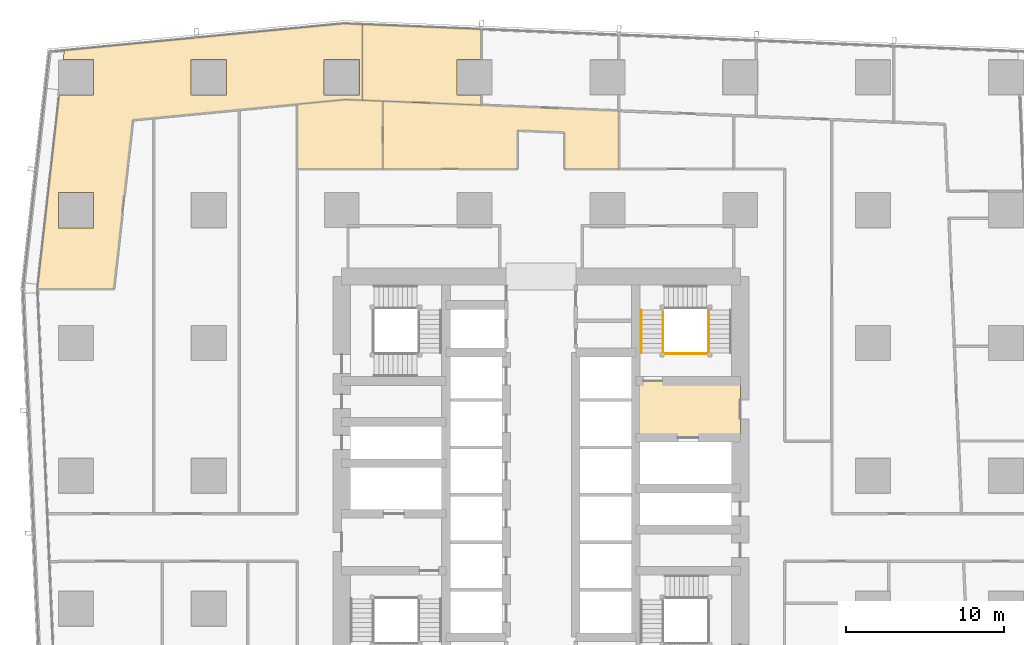
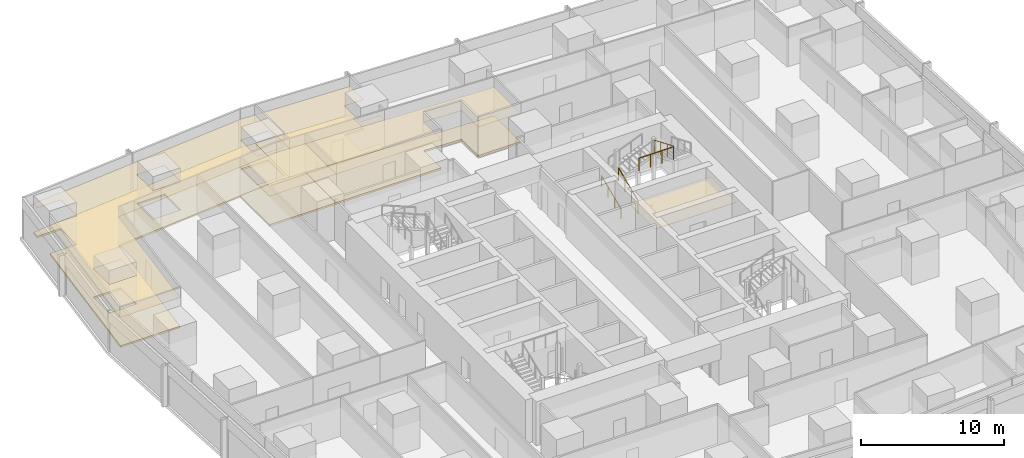
# One storey, part 42 of 44: 9 coverings, 4 railings.
"""IFC4 building model written with IfcOpenShell, lengths in metres."""

from ifc_helpers import new_model, si_unit, direction, frame, origin, origin_2d, place, context, subcontext, project, spatial, polyline, circle, outline, extrude, material, layer, layer_set, type_object, element, save


model = new_model("IFC4")

# Units and contexts
model_context = context("Model", 3, precision=1e-05, world=origin(), true_north=direction((0.0, 1.0)))
body_context = subcontext(model_context, "Body", "Model", "MODEL_VIEW")
ifc_project = project(units=[si_unit("LENGTHUNIT", "METRE"), si_unit("AREAUNIT", "SQUARE_METRE"), si_unit("VOLUMEUNIT", "CUBIC_METRE"), si_unit("PLANEANGLEUNIT", "RADIAN"), si_unit("MASSUNIT", "GRAM", prefix="KILO")], contexts=[model_context])

# Site, building, storey
site_placement = place(None, origin())
site = spatial("IfcSite", under=ifc_project, at=site_placement, CompositionType="ELEMENT")
building_placement = place(site_placement, origin())
building = spatial("IfcBuilding", under=site, at=building_placement, Name="Rekha Terrace Tower", CompositionType="ELEMENT")
storey_placement = place(building_placement, frame((0.0, 0.0, 51.64990234375)))
storey = spatial("IfcBuildingStorey", under=building, at=storey_placement, Name="L12", CompositionType="ELEMENT", Elevation=51.64990234375)

# Coverings
ifc_material_1 = material(Name="Mineral fibre tile in exposed grid", Category="finish")
ifc_layer_1 = layer(ifc_material_1, 0.02001953125)
ifc_layer_set_1 = layer_set([ifc_layer_1], Name="Mineral fibre tile in exposed grid")
covering_type_1 = type_object("IfcCoveringType", Name="CL1 600x1200 office grid ceiling", PredefinedType="CEILING", material=ifc_layer_set_1)
covering_1_placement = place(storey_placement, frame((0.0, 0.0, 2.580078125)))
element("IfcCovering", 1, at=covering_1_placement, inside=storey, type_object=covering_type_1, Name="Ceiling L12-15", PredefinedType="CEILING", context=body_context, shape_type="SweptSolid", body=[
    extrude(outline(polyline([(34.02099609375, 59.9150390625), (34.02099609375, 61.842041015625), (26.510009765625, 62.15087890625), (26.510009765625, 57.346923828125), (34.02099609375, 57.037109375), (34.02099609375, 57.68505859375), (32.485107421875, 57.68505859375), (32.485107421875, 59.9150390625), (34.02099609375, 59.9150390625)])), origin(), (0.0, 0.0, 1.0), 0.02001953125),
])
covering_2_placement = place(storey_placement, frame((0.0, 0.0, 2.580078125)))
element("IfcCovering", 2, at=covering_2_placement, inside=storey, type_object=covering_type_1, Name="Ceiling L12-17", PredefinedType="CEILING", context=body_context, shape_type="SweptSolid", body=[
    extrude(outline(polyline([(25.325927734375, 62.199951171875), (15.572021484375, 61.261962890625), (7.655029296875, 60.5009765625), (7.589111328125, 59.9150390625), (9.514892578125, 59.9150390625), (9.514892578125, 57.68505859375), (7.337890625, 57.68505859375), (5.958984375, 45.412109375), (10.7900390625, 45.412109375), (11.989990234375, 56.095947265625), (15.572998046875, 56.43994140625), (25.45703125, 57.39111328125), (26.509033203125, 57.346923828125), (26.509033203125, 62.15087890625), (25.325927734375, 62.199951171875)]), holes=[polyline([(26.31494140625, 57.68505859375), (24.0849609375, 57.68505859375), (24.0849609375, 59.9150390625), (26.31494140625, 59.9150390625), (26.31494140625, 57.68505859375)]), polyline([(17.9150390625, 57.68505859375), (15.68505859375, 57.68505859375), (15.68505859375, 59.9150390625), (17.9150390625, 59.9150390625), (17.9150390625, 57.68505859375)]), polyline([(9.514892578125, 51.514892578125), (9.514892578125, 49.284912109375), (7.284912109375, 49.284912109375), (7.284912109375, 51.514892578125), (9.514892578125, 51.514892578125)])]), origin(), (0.0, 0.0, 1.0), 0.02001953125),
])
covering_3_placement = place(storey_placement, frame((0.0, 0.0, 2.580078125)))
element("IfcCovering", 3, at=covering_3_placement, inside=storey, type_object=covering_type_1, Name="Ceiling L12-20", PredefinedType="CEILING", context=body_context, shape_type="SweptSolid", body=[
    extrude(outline(polyline([(22.39990234375, 53.0), (27.800048828125, 53.0), (27.800048828125, 57.2939453125), (26.240966796875, 57.35791015625), (25.45703125, 57.39111328125), (22.39990234375, 57.096923828125), (22.39990234375, 53.0)])), origin(), (0.0, 0.0, 1.0), 0.02001953125),
])
covering_4_placement = place(storey_placement, frame((0.0, 0.0, 2.580078125)))
element("IfcCovering", 4, at=covering_4_placement, inside=storey, type_object=covering_type_1, Name="Ceiling L12-O4", PredefinedType="CEILING", context=body_context, shape_type="SweptSolid", body=[
    extrude(outline(polyline([(42.718017578125, 56.678955078125), (34.02099609375, 57.037109375), (27.800048828125, 57.2939453125), (27.800048828125, 53.0), (36.300048828125, 53.0), (36.300048828125, 55.44189453125), (39.300048828125, 55.319091796875), (39.300048828125, 53.0), (42.718017578125, 53.0), (42.718017578125, 56.678955078125)])), origin(), (0.0, 0.0, 1.0), 0.02001953125),
])
ifc_material_2 = material(Name="Powder-coated aluminium pan", Category="aluminium")
ifc_layer_2 = layer(ifc_material_2, 0.030029296875)
ifc_layer_set_2 = layer_set([ifc_layer_2], Name="Powder-coated aluminium pan")
covering_type_2 = type_object("IfcCoveringType", Name="CL3 300x1200 metal pan ceiling", PredefinedType="CEILING", material=ifc_layer_set_2)
covering_5_placement = place(storey_placement, frame((0.0, 0.0, 2.570068359375)))
element("IfcCovering", 5, at=covering_5_placement, inside=storey, type_object=covering_type_2, Name="Ceiling L12-FLB2", PredefinedType="CEILING", context=body_context, shape_type="SweptSolid", body=[
    extrude(outline(polyline([(50.39990234375, 39.60009765625), (43.800048828125, 39.60009765625), (43.800048828125, 36.0), (50.39990234375, 36.0), (50.39990234375, 39.60009765625)])), origin(), (0.0, 0.0, 1.0), 0.030029296875),
])

# Railings
ifc_material_3 = material(Name="Stainless steel balustrade", Category="steel")
railing_type_1 = type_object("IfcRailingType", Name="GR1 1100 stair guard", PredefinedType="GUARDRAIL", material=ifc_material_3)
railing_1_placement = place(storey_placement, frame((45.514892578125, 41.375, 0.125)))
element("IfcRailing", 6, at=railing_1_placement, inside=storey, type_object=railing_type_1, Name="Guard ST2 L12 flight 1", PredefinedType="GUARDRAIL", context=body_context, shape_type="SweptSolid", body=[
    extrude(circle(Radius=0.02392578125, at=origin_2d()), frame((0.0, 0.0, 1.076171875), z_axis=(0.0, 0.923074453586, 0.384621311341), x_axis=(-1.0, 0.0, 0.0)), (0.0, 0.0, 1.0), 2.925048828125),
    extrude(circle(Radius=0.02099609375, at=origin_2d()), origin(), (0.0, 0.0, 1.0), 1.052001953125),
    extrude(circle(Radius=0.02099609375, at=origin_2d()), frame((0.0, 0.89990234375, 0.375)), (0.0, 0.0, 1.0), 1.052001953125),
    extrude(circle(Radius=0.02099609375, at=origin_2d()), frame((0.0, 1.800048828125, 0.75)), (0.0, 0.0, 1.0), 1.052001953125),
    extrude(circle(Radius=0.02099609375, at=origin_2d()), frame((0.0, 2.699951171875, 1.125)), (0.0, 0.0, 1.0), 1.052001953125),
])
railing_2_placement = place(storey_placement, frame((48.409912109375, 44.074951171875, 2.625)))
element("IfcRailing", 7, at=railing_2_placement, inside=storey, type_object=railing_type_1, Name="Guard ST2 L12 flight 3", PredefinedType="GUARDRAIL", context=body_context, shape_type="SweptSolid", body=[
    extrude(circle(Radius=0.02392578125, at=origin_2d()), frame((0.0, 0.0, 1.076171875), z_axis=(0.0, -0.923074453586, 0.384621311341), x_axis=(1.0, 0.0, 0.0)), (0.0, 0.0, 1.0), 2.925048828125),
    extrude(circle(Radius=0.02099609375, at=origin_2d()), origin(), (0.0, 0.0, 1.0), 1.052001953125),
    extrude(circle(Radius=0.02099609375, at=origin_2d()), frame((0.0, -0.89990234375, 0.375)), (0.0, 0.0, 1.0), 1.052001953125),
    extrude(circle(Radius=0.02099609375, at=origin_2d()), frame((0.0, -1.800048828125, 0.75)), (0.0, 0.0, 1.0), 1.052001953125),
    extrude(circle(Radius=0.02099609375, at=origin_2d()), frame((0.0, -2.699951171875, 1.125)), (0.0, 0.0, 1.0), 1.052001953125),
])
railing_3_placement = place(storey_placement, frame((45.574951171875, 41.31494140625, 3.75)))
element("IfcRailing", 8, at=railing_3_placement, inside=storey, type_object=railing_type_1, Name="Guard ST2 L12 landing 4", PredefinedType="GUARDRAIL", context=body_context, shape_type="SweptSolid", body=[
    extrude(circle(Radius=0.02392578125, at=origin_2d()), frame((0.0, 0.0, 1.076171875), z_axis=(1.0, 0.0, 0.0), x_axis=(0.0, 1.0, 0.0)), (0.0, 0.0, 1.0), 2.775146484375),
    extrude(circle(Radius=0.02099609375, at=origin_2d()), origin(), (0.0, 0.0, 1.0), 1.052001953125),
    extrude(circle(Radius=0.02099609375, at=origin_2d()), frame((0.925048828125, 0.0, 0.0)), (0.0, 0.0, 1.0), 1.052001953125),
    extrude(circle(Radius=0.02099609375, at=origin_2d()), frame((1.85009765625, 0.0, 0.0)), (0.0, 0.0, 1.0), 1.052001953125),
    extrude(circle(Radius=0.02099609375, at=origin_2d()), frame((2.775146484375, 0.0, 0.0)), (0.0, 0.0, 1.0), 1.052001953125),
])
ifc_material_4 = material(Name="Stainless steel tube", Category="steel")
railing_type_2 = type_object("IfcRailingType", Name="HR1 900 stair handrail", PredefinedType="HANDRAIL", material=ifc_material_4)
railing_4_placement = place(storey_placement, frame((44.135009765625, 41.375, 0.125)))
element("IfcRailing", 9, at=railing_4_placement, inside=storey, type_object=railing_type_2, Name="Handrail ST2 L12 flight 1", PredefinedType="HANDRAIL", context=body_context, shape_type="SweptSolid", body=[
    extrude(circle(Radius=0.02392578125, at=origin_2d()), frame((0.0, 0.0, 0.8759765625), z_axis=(0.0, 0.923074453586, 0.384621311341), x_axis=(-1.0, 0.0, 0.0)), (0.0, 0.0, 1.0), 2.925048828125),
    extrude(circle(Radius=0.02099609375, at=origin_2d()), origin(), (0.0, 0.0, 1.0), 0.851806640625),
    extrude(circle(Radius=0.02099609375, at=origin_2d()), frame((0.0, 0.89990234375, 0.375)), (0.0, 0.0, 1.0), 0.851806640625),
    extrude(circle(Radius=0.02099609375, at=origin_2d()), frame((0.0, 1.800048828125, 0.75)), (0.0, 0.0, 1.0), 0.851806640625),
    extrude(circle(Radius=0.02099609375, at=origin_2d()), frame((0.0, 2.699951171875, 1.125)), (0.0, 0.0, 1.0), 0.851806640625),
])

# Coverings
ifc_material_5 = material(Name="Calcium sulphate panels on steel pedestals", Category="steel")
ifc_layer_3 = layer(ifc_material_5, 0.14990234375)
ifc_layer_set_3 = layer_set([ifc_layer_3], Name="Calcium sulphate panels on steel pedestals")
covering_type_3 = type_object("IfcCoveringType", Name="RF1 150 raised access floor", PredefinedType="FLOORING", material=ifc_layer_set_3)
covering_6_placement = place(storey_placement, origin())
element("IfcCovering", 10, at=covering_6_placement, inside=storey, type_object=covering_type_3, Name="Raised floor L12-15", PredefinedType="FLOORING", context=body_context, shape_type="SweptSolid", body=[
    extrude(outline(polyline([(34.02099609375, 59.9150390625), (34.02099609375, 61.842041015625), (26.510009765625, 62.15087890625), (26.510009765625, 57.346923828125), (34.02099609375, 57.037109375), (34.02099609375, 57.68505859375), (32.485107421875, 57.68505859375), (32.485107421875, 59.9150390625), (34.02099609375, 59.9150390625)])), origin(), (0.0, 0.0, 1.0), 0.150146484375),
])
covering_7_placement = place(storey_placement, origin())
element("IfcCovering", 11, at=covering_7_placement, inside=storey, type_object=covering_type_3, Name="Raised floor L12-17", PredefinedType="FLOORING", context=body_context, shape_type="SweptSolid", body=[
    extrude(outline(polyline([(25.325927734375, 62.199951171875), (15.572021484375, 61.261962890625), (7.655029296875, 60.5009765625), (7.589111328125, 59.9150390625), (9.514892578125, 59.9150390625), (9.514892578125, 57.68505859375), (7.337890625, 57.68505859375), (5.958984375, 45.412109375), (10.7900390625, 45.412109375), (11.989990234375, 56.095947265625), (15.572998046875, 56.43994140625), (25.45703125, 57.39111328125), (26.509033203125, 57.346923828125), (26.509033203125, 62.15087890625), (25.325927734375, 62.199951171875)]), holes=[polyline([(26.31494140625, 57.68505859375), (24.0849609375, 57.68505859375), (24.0849609375, 59.9150390625), (26.31494140625, 59.9150390625), (26.31494140625, 57.68505859375)]), polyline([(17.9150390625, 57.68505859375), (15.68505859375, 57.68505859375), (15.68505859375, 59.9150390625), (17.9150390625, 59.9150390625), (17.9150390625, 57.68505859375)]), polyline([(9.514892578125, 51.514892578125), (9.514892578125, 49.284912109375), (7.284912109375, 49.284912109375), (7.284912109375, 51.514892578125), (9.514892578125, 51.514892578125)])]), origin(), (0.0, 0.0, 1.0), 0.150146484375),
])
covering_8_placement = place(storey_placement, origin())
element("IfcCovering", 12, at=covering_8_placement, inside=storey, type_object=covering_type_3, Name="Raised floor L12-20", PredefinedType="FLOORING", context=body_context, shape_type="SweptSolid", body=[
    extrude(outline(polyline([(22.39990234375, 53.0), (27.800048828125, 53.0), (27.800048828125, 57.2939453125), (26.240966796875, 57.35791015625), (25.45703125, 57.39111328125), (22.39990234375, 57.096923828125), (22.39990234375, 53.0)])), origin(), (0.0, 0.0, 1.0), 0.150146484375),
])
covering_9_placement = place(storey_placement, origin())
element("IfcCovering", 13, at=covering_9_placement, inside=storey, type_object=covering_type_3, Name="Raised floor L12-O4", PredefinedType="FLOORING", context=body_context, shape_type="SweptSolid", body=[
    extrude(outline(polyline([(42.718017578125, 56.678955078125), (34.02099609375, 57.037109375), (27.800048828125, 57.2939453125), (27.800048828125, 53.0), (36.300048828125, 53.0), (36.300048828125, 55.44189453125), (39.300048828125, 55.319091796875), (39.300048828125, 53.0), (42.718017578125, 53.0), (42.718017578125, 56.678955078125)])), origin(), (0.0, 0.0, 1.0), 0.150146484375),
])

save(model, "model.ifc")
